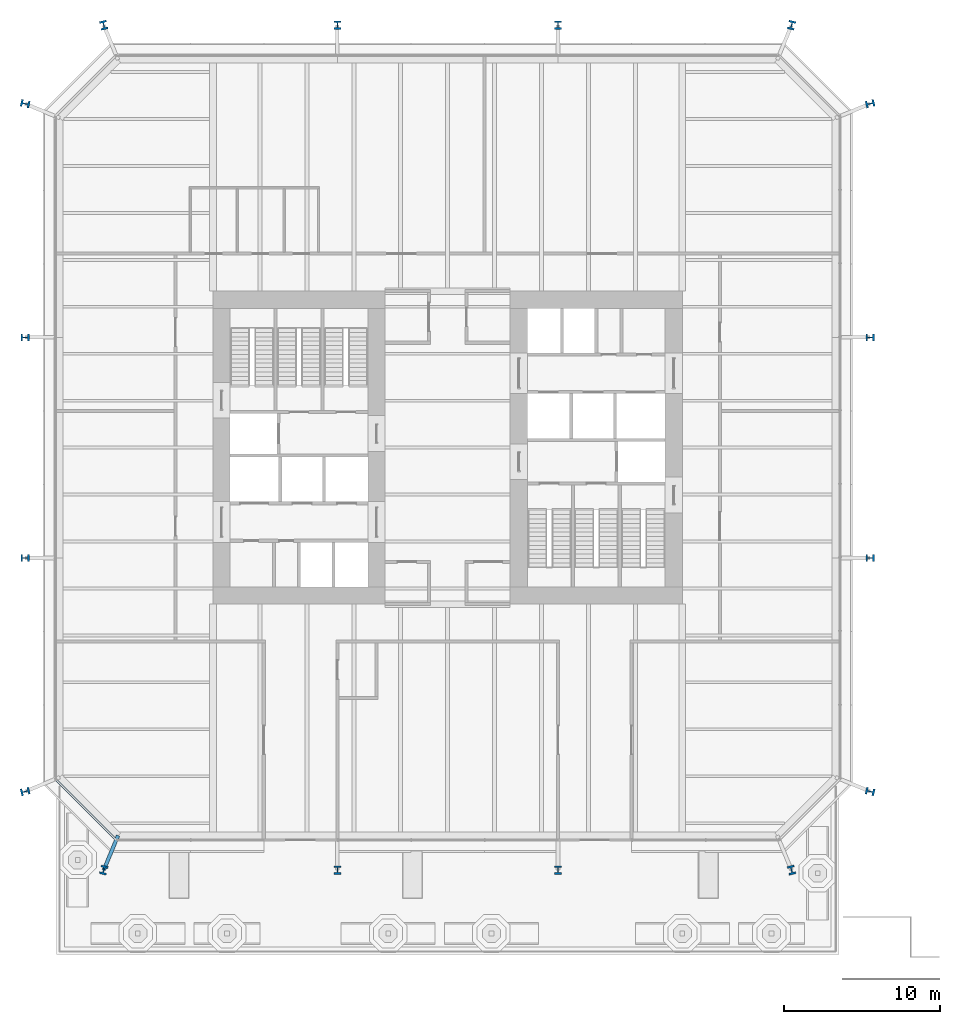
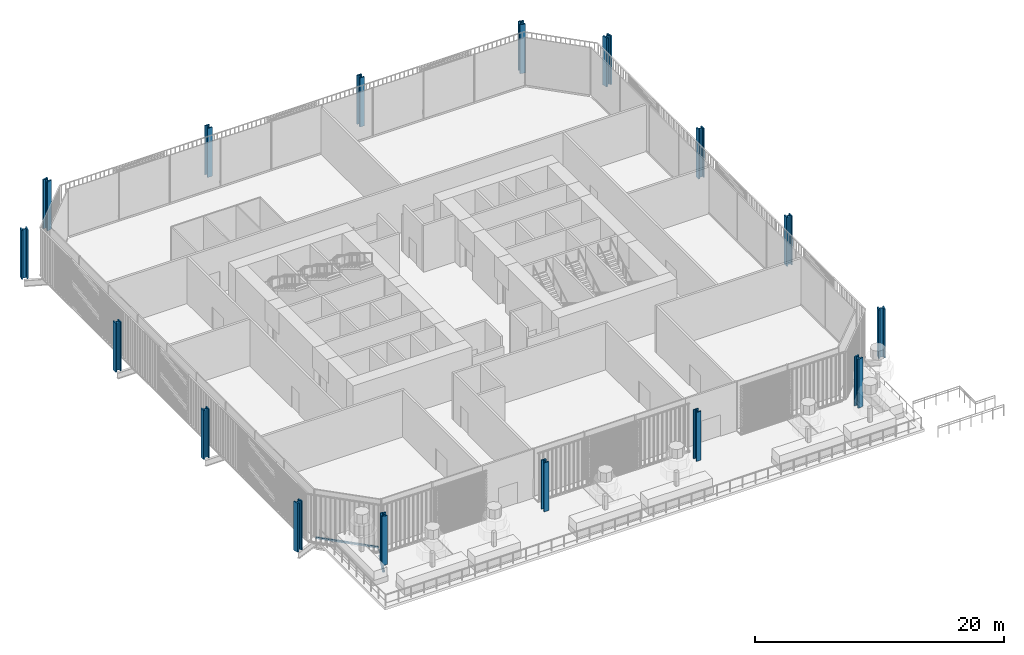
# One storey, part 1 of 21: 16 columns, 1 beam, 1 member, 1 element without a shape of its own.
"""IFC4 building model written with IfcOpenShell, lengths in metres."""

from ifc_helpers import new_model, si_unit, direction, frame, origin, origin_2d, place, context, subcontext, project, spatial, rectangle, i_section, extrude, material, layer, layer_set, material_profile, profile_set, type_object, element, aggregate, save


model = new_model("IFC4")

# Units and contexts
model_context = context("Model", 3, precision=1e-05, world=origin(), true_north=direction((0.0, 1.0)))
body_context = subcontext(model_context, "Body", "Model", "MODEL_VIEW")
ifc_project = project(units=[si_unit("LENGTHUNIT", "METRE"), si_unit("AREAUNIT", "SQUARE_METRE"), si_unit("VOLUMEUNIT", "CUBIC_METRE"), si_unit("PLANEANGLEUNIT", "RADIAN"), si_unit("MASSUNIT", "GRAM", prefix="KILO")], contexts=[model_context])

# Site, building, storey
site_placement = place(None, origin())
site = spatial("IfcSite", under=ifc_project, at=site_placement, CompositionType="ELEMENT")
building_placement = place(site_placement, origin())
building = spatial("IfcBuilding", under=site, at=building_placement, Name="Millrace Tower", CompositionType="ELEMENT")
storey_placement = place(building_placement, frame((0.0, 0.0, 16.10009765625)))
storey = spatial("IfcBuildingStorey", under=building, at=storey_placement, Name="L04", CompositionType="ELEMENT", Elevation=16.10009765625)

# Columns
ifc_material_1 = material(Name="Steel ASTM A913 Grade 65", Category="steel")
ifc_material_profile_1 = material_profile(ifc_material_1, i_section(OverallWidth=0.44189453125, OverallDepth=0.53076171875, WebThickness=0.06591796875, FlangeThickness=0.105712890625, FilletRadius=0.01513671875, at=origin_2d()))
ifc_profile_set_1 = profile_set([ifc_material_profile_1], Name="Steel ASTM A913 Grade 65")
column_type_1 = type_object("IfcColumnType", Name="Exoskeleton column W14x605", PredefinedType="COLUMN", material=ifc_profile_set_1)
for number, where, z_axis, x_axis, name in (
    (1, (-7.050048828125, -27.0, 0.0), (0.0, 0.0, 1.0), (1.0, 0.0, 0.0), "COL-A-L04-X03"),
    (2, (7.050048828125, -27.0, 0.0), (0.0, 0.0, 1.0), (1.0, 0.0, 0.0), "COL-A-L04-X04"),
    (3, (27.0, -7.050048828125, 0.0), (0.0, 0.0, 1.0), (0.0, 1.0, 0.0), "COL-A-L04-X07"),
    (4, (27.0, 7.050048828125, 0.0), (0.0, 0.0, 1.0), (0.0, 1.0, 0.0), "COL-A-L04-X08"),
    (5, (7.050048828125, 27.0, 0.0), (0.0, 0.0, 1.0), (-1.0, 0.0, 0.0), "COL-A-L04-X11"),
    (6, (-7.050048828125, 27.0, 0.0), (0.0, 0.0, 1.0), (-1.0, 0.0, 0.0), "COL-A-L04-X12"),
    (7, (-27.0, 7.050048828125, 0.0), (0.0, 0.0, 1.0), (0.0, -1.0, 0.0), "COL-A-L04-X15"),
    (8, (-27.0, -7.050048828125, 0.0), (0.0, 0.0, 1.0), (0.0, -1.0, 0.0), "COL-A-L04-X16"),
):
    element("IfcColumn", number, at=place(storey_placement, frame(where, z_axis=z_axis, x_axis=x_axis)), inside=storey, type_object=column_type_1, Name=name, PredefinedType="COLUMN", context=body_context, shape_type="SweptSolid", body=[
        extrude(i_section(OverallWidth=0.44189453125, OverallDepth=0.53076171875, WebThickness=0.06591796875, FlangeThickness=0.105712890625, FilletRadius=0.01513671875, at=origin_2d()), origin(), (0.0, 0.0, 1.0), 4.7998046875),
    ])
ifc_material_2 = material(Name="Steel ASTM A913 Grade 65", Category="steel")
ifc_material_profile_2 = material_profile(ifc_material_2, i_section(OverallWidth=0.45458984375, OverallDepth=0.56884765625, WebThickness=0.077880859375, FlangeThickness=0.124755859375, FilletRadius=0.01513671875, at=origin_2d()))
ifc_profile_set_2 = profile_set([ifc_material_profile_2], Name="Steel ASTM A913 Grade 65")
column_type_2 = type_object("IfcColumnType", Name="Exoskeleton column W14x730", PredefinedType="COLUMN", material=ifc_profile_set_2)
for number, where, z_axis, x_axis, name in (
    (9, (-27.0, -21.978515625, 0.0), (0.0, 0.0, 1.0), (0.244094142872, -0.969751540043, 0.0), "COL-A-L04-X01"),
    (10, (-21.978515625, -27.0, 0.0), (0.0, 0.0, 1.0), (0.969751540043, -0.244094142872, 0.0), "COL-A-L04-X02"),
    (11, (21.978515625, -27.0, 0.0), (0.0, 0.0, 1.0), (0.969751540043, 0.244094142872, 0.0), "COL-A-L04-X05"),
    (12, (27.0, -21.978515625, 0.0), (0.0, 0.0, 1.0), (0.244094142872, 0.969751540043, 0.0), "COL-A-L04-X06"),
    (13, (27.0, 21.978515625, 0.0), (0.0, 0.0, 1.0), (-0.244094142872, 0.969751540043, 0.0), "COL-A-L04-X09"),
    (14, (21.978515625, 27.0, 0.0), (0.0, 0.0, 1.0), (-0.969751540043, 0.244094142872, 0.0), "COL-A-L04-X10"),
    (15, (-21.978515625, 27.0, 0.0), (0.0, 0.0, 1.0), (-0.969751540043, -0.244094142872, 0.0), "COL-A-L04-X13"),
    (16, (-27.0, 21.978515625, 0.0), (0.0, 0.0, 1.0), (-0.244094142872, -0.969751540043, 0.0), "COL-A-L04-X14"),
):
    element("IfcColumn", number, at=place(storey_placement, frame(where, z_axis=z_axis, x_axis=x_axis)), inside=storey, type_object=column_type_2, Name=name, PredefinedType="COLUMN", context=body_context, shape_type="SweptSolid", body=[
        extrude(i_section(OverallWidth=0.45458984375, OverallDepth=0.56884765625, WebThickness=0.077880859375, FlangeThickness=0.124755859375, FilletRadius=0.01513671875, at=origin_2d()), origin(), (0.0, 0.0, 1.0), 4.7998046875),
    ])

# Curtain wall, member
ifc_material_3 = material(Name="Aluminium and glass", Category="aluminium")
ifc_layer = layer(ifc_material_3, 0.14990234375)
ifc_layer_set = layer_set([ifc_layer], Name="Aluminium and glass")
curtain_wall_type = type_object("IfcCurtainWallType", Name="CW-2 data hall insulated curtain wall", PredefinedType="NOTDEFINED", material=ifc_layer_set)
curtain_wall_placement = place(storey_placement, origin())
curtain_wall = element("IfcCurtainWall", 17, at=curtain_wall_placement, inside=storey, type_object=curtain_wall_type, Name="Curtain wall A-F01 L04", PredefinedType="NOTDEFINED")
ifc_material_4 = material(Name="Aluminium", Category="aluminium")
ifc_material_profile_3 = material_profile(ifc_material_4, rectangle(XDim=0.14990234375, YDim=0.159912109375, at=origin_2d()))
ifc_profile_set_3 = profile_set([ifc_material_profile_3], Name="Aluminium")
member_type = type_object("IfcMemberType", Name="CW-2 data hall insulated curtain wall transom", PredefinedType="USERDEFINED", material=ifc_profile_set_3)
member_placement = place(storey_placement, frame((-24.982421875, -21.273681640625, 0.079833984375), z_axis=(0.707106781187, -0.707106781187, 0.0), x_axis=(0.707106781187, 0.707106781187, 0.0)))
member = element("IfcMember", 18, at=member_placement, type_object=member_type, Name="CW2 transom A-F01.1", ObjectType="TRANSOM", PredefinedType="USERDEFINED", context=body_context, shape_type="SweptSolid", body=[
    extrude(rectangle(XDim=0.14990234375, YDim=0.159912109375, at=origin_2d()), origin(), (0.0, 0.0, 1.0), 5.244873046875),
])
aggregate(curtain_wall, [member])

# Beam
ifc_material_5 = material(Name="Steel ASTM A992 Grade 50", Category="steel")
ifc_material_profile_4 = material_profile(ifc_material_5, i_section(OverallWidth=0.23046875, OverallDepth=0.6171875, WebThickness=0.01318359375, FlangeThickness=0.022216796875, FilletRadius=0.012939453125, at=origin_2d()))
ifc_profile_set_4 = profile_set([ifc_material_profile_4], Name="Steel ASTM A992 Grade 50")
beam_type = type_object("IfcBeamType", Name="Link beam W24x94", PredefinedType="BEAM", material=ifc_profile_set_4)
beam_placement = place(storey_placement, frame((-21.062744140625, -24.7890625, -0.5986328125), z_axis=(-0.382673155247, -0.923883789366, 0.0), x_axis=(0.923883789366, -0.382673155247, 0.0)))
element("IfcBeam", 19, at=beam_placement, inside=storey, type_object=beam_type, Name="LNK-A-L04-S1-16", PredefinedType="BEAM", context=body_context, shape_type="SweptSolid", body=[
    extrude(i_section(OverallWidth=0.23046875, OverallDepth=0.6171875, WebThickness=0.01318359375, FlangeThickness=0.022216796875, FilletRadius=0.012939453125, at=origin_2d()), origin(), (0.0, 0.0, 1.0), 2.39306640625),
])

save(model, "model.ifc")
